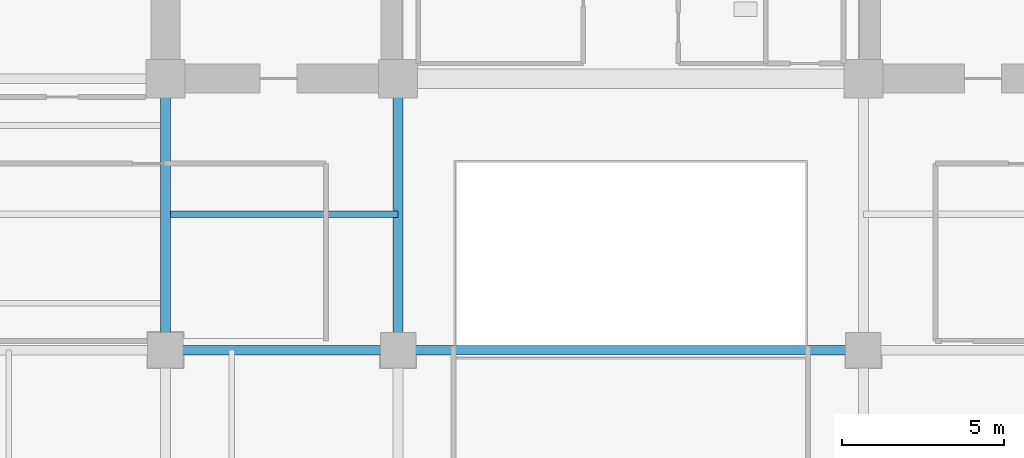
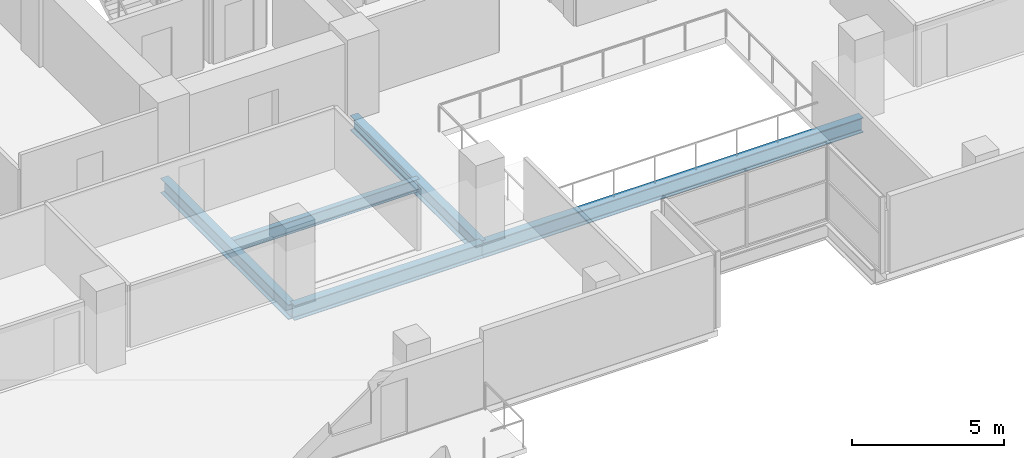
# One storey, part 4 of 32: 5 beams.
"""IFC4 building model written with IfcOpenShell, lengths in metres."""

from ifc_helpers import new_model, si_unit, direction, frame, origin, origin_2d, place, context, subcontext, project, spatial, i_section, extrude, material, material_profile, profile_set, type_object, element, save


model = new_model("IFC4")

# Units and contexts
model_context = context("Model", 3, precision=1e-05, world=origin(), true_north=direction((0.0, 1.0)))
body_context = subcontext(model_context, "Body", "Model", "MODEL_VIEW")
ifc_project = project(units=[si_unit("LENGTHUNIT", "METRE"), si_unit("AREAUNIT", "SQUARE_METRE"), si_unit("VOLUMEUNIT", "CUBIC_METRE"), si_unit("PLANEANGLEUNIT", "RADIAN"), si_unit("MASSUNIT", "GRAM", prefix="KILO")], contexts=[model_context])

# Site, building, storey
site_placement = place(None, origin())
site = spatial("IfcSite", under=ifc_project, at=site_placement, CompositionType="ELEMENT")
building_placement = place(site_placement, origin())
building = spatial("IfcBuilding", under=site, at=building_placement, Name="Zarnakvel Exchange Tower", CompositionType="ELEMENT")
storey_placement = place(building_placement, frame((0.0, 0.0, 73.60009765625)))
storey = spatial("IfcBuildingStorey", under=building, at=storey_placement, Name="L20", CompositionType="ELEMENT", Elevation=73.60009765625)

# Beams
ifc_material = material(Name="Steel S355", Category="steel")
ifc_material_profile_1 = material_profile(ifc_material, i_section(OverallWidth=0.199951171875, OverallDepth=0.5, WebThickness=0.01025390625, FlangeThickness=0.01611328125, FilletRadius=0.02099609375, at=origin_2d()))
ifc_profile_set_1 = profile_set([ifc_material_profile_1], Name="Steel S355")
beam_type_1 = type_object("IfcBeamType", Name="B-04", PredefinedType="JOIST", material=ifc_profile_set_1)
beam_1_placement = place(storey_placement, frame((-14.25, -5.39990234375, -0.47509765625), z_axis=(1.0, 0.0, 0.0), x_axis=(0.0, 1.0, 0.0)))
element("IfcBeam", 1, at=beam_1_placement, inside=storey, type_object=beam_type_1, Name="L20 Composite Floor Secondary Joist", PredefinedType="JOIST", context=body_context, shape_type="SweptSolid", body=[
    extrude(i_section(OverallWidth=0.199951171875, OverallDepth=0.5, WebThickness=0.01025390625, FlangeThickness=0.01611328125, FilletRadius=0.02099609375, at=origin_2d()), origin(), (0.0, 0.0, 1.0), 7.050048828125),
])
ifc_material_profile_2 = material_profile(ifc_material, i_section(OverallWidth=0.300048828125, OverallDepth=0.60009765625, WebThickness=0.015380859375, FlangeThickness=0.030029296875, FilletRadius=0.027099609375, at=origin_2d()))
ifc_profile_set_2 = profile_set([ifc_material_profile_2], Name="Steel S355")
beam_type_2 = type_object("IfcBeamType", Name="G-04", PredefinedType="BEAM", material=ifc_profile_set_2)
beam_2_placement = place(storey_placement, frame((-14.39990234375, -9.60009765625, -0.525146484375), z_axis=(1.0, 0.0, 0.0), x_axis=(0.0, 1.0, 0.0)))
element("IfcBeam", 2, at=beam_2_placement, inside=storey, type_object=beam_type_2, Name="L20 Tower E-W Frame Beam", PredefinedType="BEAM", context=body_context, shape_type="SweptSolid", body=[
    extrude(i_section(OverallWidth=0.300048828125, OverallDepth=0.60009765625, WebThickness=0.015380859375, FlangeThickness=0.030029296875, FilletRadius=0.027099609375, at=origin_2d()), origin(), (0.0, 0.0, 1.0), 7.199951171875),
])
beam_3_placement = place(storey_placement, frame((-7.199951171875, -9.60009765625, -0.525146484375), z_axis=(1.0, 0.0, 0.0), x_axis=(0.0, 1.0, 0.0)))
element("IfcBeam", 3, at=beam_3_placement, inside=storey, type_object=beam_type_2, Name="L20 Tower E-W Frame Beam", PredefinedType="BEAM", context=body_context, shape_type="SweptSolid", body=[
    extrude(i_section(OverallWidth=0.300048828125, OverallDepth=0.60009765625, WebThickness=0.015380859375, FlangeThickness=0.030029296875, FilletRadius=0.027099609375, at=origin_2d()), origin(), (0.0, 0.0, 1.0), 14.39990234375),
])
for number, where, z_axis, x_axis, name in (
    (4, (-14.39990234375, -9.60009765625, -0.525146484375), (0.0, 1.0, 0.0), (-1.0, 0.0, 0.0), "L20 Tower N-S Frame Beam"),
    (5, (-7.199951171875, -9.60009765625, -0.525146484375), (0.0, 1.0, 0.0), (-1.0, 0.0, 0.0), "L20 Tower N-S Frame Beam"),
):
    element("IfcBeam", number, at=place(storey_placement, frame(where, z_axis=z_axis, x_axis=x_axis)), inside=storey, type_object=beam_type_2, Name=name, PredefinedType="BEAM", context=body_context, shape_type="SweptSolid", body=[
        extrude(i_section(OverallWidth=0.300048828125, OverallDepth=0.60009765625, WebThickness=0.015380859375, FlangeThickness=0.030029296875, FilletRadius=0.027099609375, at=origin_2d()), origin(), (0.0, 0.0, 1.0), 8.400146484375),
    ])

save(model, "model.ifc")
